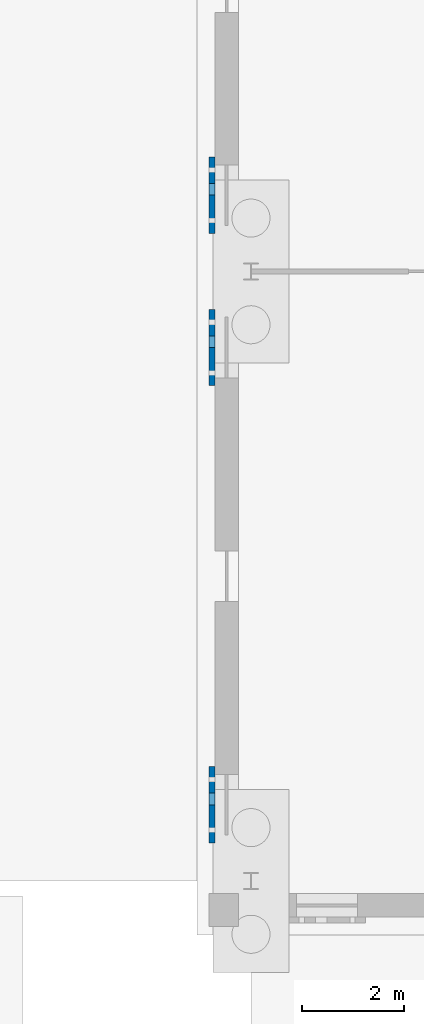
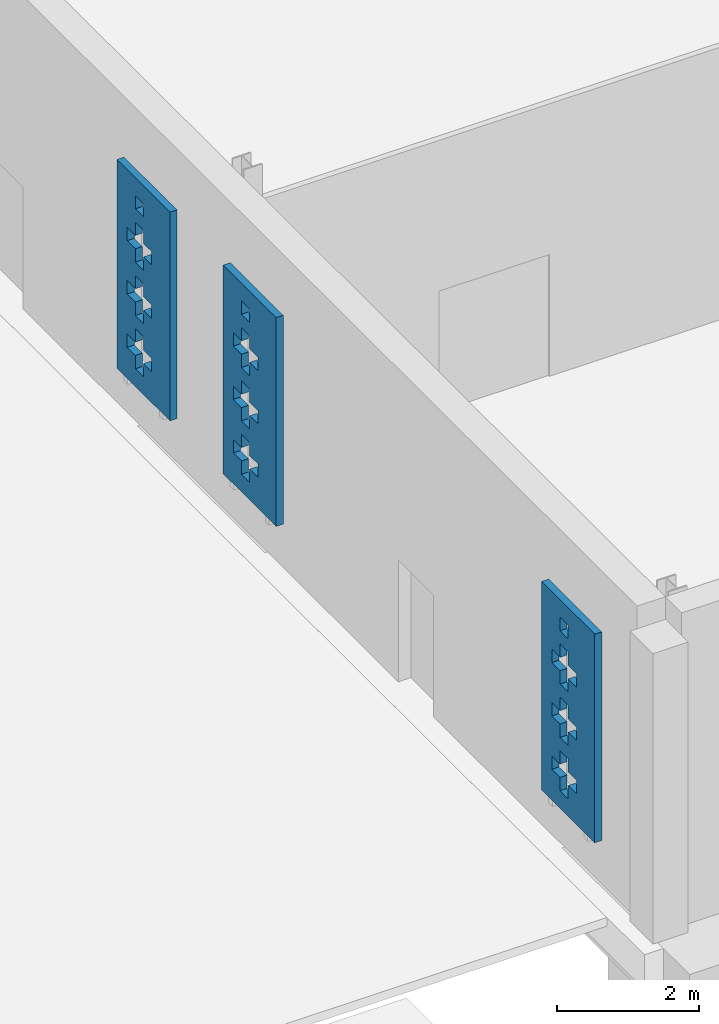
# One storey, part 85 of 132: 3 walls, 48 openings.
"""IFC4 building model written with IfcOpenShell, lengths in metres."""

from ifc_helpers import new_model, si_unit, direction, frame, frame_2d, origin, place, context, subcontext, project, spatial, rectangle, extrude, material, layer, layer_set, type_object, element, save


model = new_model("IFC4")

# Units and contexts
model_context = context("Model", 3, precision=1e-05, world=origin(), true_north=direction((0.0, 1.0)))
body_context = subcontext(model_context, "Body", "Model", "MODEL_VIEW")
ifc_project = project(units=[si_unit("LENGTHUNIT", "METRE"), si_unit("AREAUNIT", "SQUARE_METRE"), si_unit("VOLUMEUNIT", "CUBIC_METRE"), si_unit("PLANEANGLEUNIT", "RADIAN"), si_unit("MASSUNIT", "GRAM", prefix="KILO")], contexts=[model_context])

# Site, building, storey
site_placement = place(None, origin())
site = spatial("IfcSite", under=ifc_project, at=site_placement, CompositionType="ELEMENT")
building_placement = place(site_placement, origin())
building = spatial("IfcBuilding", under=site, at=building_placement, Name="Ravi Spectrum Wholesale Market", CompositionType="ELEMENT")
storey_placement = place(building_placement, origin())
storey = spatial("IfcBuildingStorey", under=building, at=storey_placement, Name="L00", CompositionType="ELEMENT", Elevation=0.0)

# Wall, openings
ifc_material = material(Name="Facing brickwork", Category="masonry")
ifc_layer = layer(ifc_material, 0.114990234375)
ifc_layer_set = layer_set([ifc_layer], Name="Facing brickwork")
wall_type = type_object("IfcWallType", Name="Perforated brick screen 115", PredefinedType="SOLIDWALL", material=ifc_layer_set)
wall_1_placement = place(storey_placement, frame((161.232421875, 212.25, 0.75), z_axis=(0.0, 0.0, 1.0), x_axis=(0.0, -1.0, 0.0)))
wall_1 = element("IfcWall", 1, at=wall_1_placement, inside=storey, type_object=wall_type, Name="AU-WL-L00-025", PredefinedType="SOLIDWALL", context=body_context, shape_type="SweptSolid", body=[
    extrude(rectangle(XDim=1.5, YDim=0.114990234375, at=frame_2d((0.75, 0.0))), origin(), (0.0, 0.0, 1.0), 3.60009765625),
])
opening_1_placement = place(wall_1_placement, frame((0.52001953125, 0.0, 0.304931640625)))
element("IfcOpeningElement", 2, at=opening_1_placement, cuts=wall_1, Name="Opening AU-OP-L00-193", PredefinedType="OPENING", context=body_context, shape_type="SweptSolid", body=[
    extrude(rectangle(XDim=0.22998046875, YDim=0.22998046875, at=frame_2d((0.114990234375, 0.114990234375))), frame((0.0, 0.0673828125, 0.0), z_axis=(0.0, -1.0, 0.0), x_axis=(1.0, 0.0, 0.0)), (0.0, 0.0, 1.0), 0.135009765625),
])
opening_2_placement = place(wall_1_placement, frame((0.2900390625, 0.0, 0.534912109375)))
element("IfcOpeningElement", 3, at=opening_2_placement, cuts=wall_1, Name="Opening AU-OP-L00-194", PredefinedType="OPENING", context=body_context, shape_type="SweptSolid", body=[
    extrude(rectangle(XDim=0.22998046875, YDim=0.22998046875, at=frame_2d((0.114990234375, 0.114990234375))), frame((0.0, 0.0673828125, 0.0), z_axis=(0.0, -1.0, 0.0), x_axis=(1.0, 0.0, 0.0)), (0.0, 0.0, 1.0), 0.135009765625),
])
opening_3_placement = place(wall_1_placement, frame((0.52001953125, 0.0, 0.534912109375)))
element("IfcOpeningElement", 4, at=opening_3_placement, cuts=wall_1, Name="Opening AU-OP-L00-195", PredefinedType="OPENING", context=body_context, shape_type="SweptSolid", body=[
    extrude(rectangle(XDim=0.22998046875, YDim=0.22998046875, at=frame_2d((0.114990234375, 0.114990234375))), frame((0.0, 0.0673828125, 0.0), z_axis=(0.0, -1.0, 0.0), x_axis=(1.0, 0.0, 0.0)), (0.0, 0.0, 1.0), 0.135009765625),
])
opening_4_placement = place(wall_1_placement, frame((0.75, 0.0, 0.534912109375)))
element("IfcOpeningElement", 5, at=opening_4_placement, cuts=wall_1, Name="Opening AU-OP-L00-196", PredefinedType="OPENING", context=body_context, shape_type="SweptSolid", body=[
    extrude(rectangle(XDim=0.22998046875, YDim=0.22998046875, at=frame_2d((0.114990234375, 0.114990234375))), frame((0.0, 0.0673828125, 0.0), z_axis=(0.0, -1.0, 0.0), x_axis=(1.0, 0.0, 0.0)), (0.0, 0.0, 1.0), 0.135009765625),
])
opening_5_placement = place(wall_1_placement, frame((0.52001953125, 0.0, 0.764892578125)))
element("IfcOpeningElement", 6, at=opening_5_placement, cuts=wall_1, Name="Opening AU-OP-L00-197", PredefinedType="OPENING", context=body_context, shape_type="SweptSolid", body=[
    extrude(rectangle(XDim=0.22998046875, YDim=0.22998046875, at=frame_2d((0.114990234375, 0.114990234375))), frame((0.0, 0.0673828125, 0.0), z_axis=(0.0, -1.0, 0.0), x_axis=(1.0, 0.0, 0.0)), (0.0, 0.0, 1.0), 0.135009765625),
])
opening_6_placement = place(wall_1_placement, frame((0.52001953125, 0.0, 1.22509765625)))
element("IfcOpeningElement", 7, at=opening_6_placement, cuts=wall_1, Name="Opening AU-OP-L00-198", PredefinedType="OPENING", context=body_context, shape_type="SweptSolid", body=[
    extrude(rectangle(XDim=0.22998046875, YDim=0.22998046875, at=frame_2d((0.114990234375, 0.114990234375))), frame((0.0, 0.0673828125, 0.0), z_axis=(0.0, -1.0, 0.0), x_axis=(1.0, 0.0, 0.0)), (0.0, 0.0, 1.0), 0.135009765625),
])
opening_7_placement = place(wall_1_placement, frame((0.2900390625, 0.0, 1.455078125)))
element("IfcOpeningElement", 8, at=opening_7_placement, cuts=wall_1, Name="Opening AU-OP-L00-199", PredefinedType="OPENING", context=body_context, shape_type="SweptSolid", body=[
    extrude(rectangle(XDim=0.22998046875, YDim=0.22998046875, at=frame_2d((0.114990234375, 0.114990234375))), frame((0.0, 0.0673828125, 0.0), z_axis=(0.0, -1.0, 0.0), x_axis=(1.0, 0.0, 0.0)), (0.0, 0.0, 1.0), 0.135009765625),
])
opening_8_placement = place(wall_1_placement, frame((0.52001953125, 0.0, 1.455078125)))
element("IfcOpeningElement", 9, at=opening_8_placement, cuts=wall_1, Name="Opening AU-OP-L00-200", PredefinedType="OPENING", context=body_context, shape_type="SweptSolid", body=[
    extrude(rectangle(XDim=0.22998046875, YDim=0.22998046875, at=frame_2d((0.114990234375, 0.114990234375))), frame((0.0, 0.0673828125, 0.0), z_axis=(0.0, -1.0, 0.0), x_axis=(1.0, 0.0, 0.0)), (0.0, 0.0, 1.0), 0.135009765625),
])
opening_9_placement = place(wall_1_placement, frame((0.75, 0.0, 1.455078125)))
element("IfcOpeningElement", 10, at=opening_9_placement, cuts=wall_1, Name="Opening AU-OP-L00-201", PredefinedType="OPENING", context=body_context, shape_type="SweptSolid", body=[
    extrude(rectangle(XDim=0.22998046875, YDim=0.22998046875, at=frame_2d((0.114990234375, 0.114990234375))), frame((0.0, 0.0673828125, 0.0), z_axis=(0.0, -1.0, 0.0), x_axis=(1.0, 0.0, 0.0)), (0.0, 0.0, 1.0), 0.135009765625),
])
opening_10_placement = place(wall_1_placement, frame((0.52001953125, 0.0, 1.68505859375)))
element("IfcOpeningElement", 11, at=opening_10_placement, cuts=wall_1, Name="Opening AU-OP-L00-202", PredefinedType="OPENING", context=body_context, shape_type="SweptSolid", body=[
    extrude(rectangle(XDim=0.22998046875, YDim=0.22998046875, at=frame_2d((0.114990234375, 0.114990234375))), frame((0.0, 0.0673828125, 0.0), z_axis=(0.0, -1.0, 0.0), x_axis=(1.0, 0.0, 0.0)), (0.0, 0.0, 1.0), 0.135009765625),
])
opening_11_placement = place(wall_1_placement, frame((0.52001953125, 0.0, 2.14501953125)))
element("IfcOpeningElement", 12, at=opening_11_placement, cuts=wall_1, Name="Opening AU-OP-L00-203", PredefinedType="OPENING", context=body_context, shape_type="SweptSolid", body=[
    extrude(rectangle(XDim=0.22998046875, YDim=0.22998046875, at=frame_2d((0.114990234375, 0.114990234375))), frame((0.0, 0.0673828125, 0.0), z_axis=(0.0, -1.0, 0.0), x_axis=(1.0, 0.0, 0.0)), (0.0, 0.0, 1.0), 0.135009765625),
])
opening_12_placement = place(wall_1_placement, frame((0.2900390625, 0.0, 2.375)))
element("IfcOpeningElement", 13, at=opening_12_placement, cuts=wall_1, Name="Opening AU-OP-L00-204", PredefinedType="OPENING", context=body_context, shape_type="SweptSolid", body=[
    extrude(rectangle(XDim=0.22998046875, YDim=0.22998046875, at=frame_2d((0.114990234375, 0.114990234375))), frame((0.0, 0.0673828125, 0.0), z_axis=(0.0, -1.0, 0.0), x_axis=(1.0, 0.0, 0.0)), (0.0, 0.0, 1.0), 0.135009765625),
])
opening_13_placement = place(wall_1_placement, frame((0.52001953125, 0.0, 2.375)))
element("IfcOpeningElement", 14, at=opening_13_placement, cuts=wall_1, Name="Opening AU-OP-L00-205", PredefinedType="OPENING", context=body_context, shape_type="SweptSolid", body=[
    extrude(rectangle(XDim=0.22998046875, YDim=0.22998046875, at=frame_2d((0.114990234375, 0.114990234375))), frame((0.0, 0.0673828125, 0.0), z_axis=(0.0, -1.0, 0.0), x_axis=(1.0, 0.0, 0.0)), (0.0, 0.0, 1.0), 0.135009765625),
])
opening_14_placement = place(wall_1_placement, frame((0.75, 0.0, 2.375)))
element("IfcOpeningElement", 15, at=opening_14_placement, cuts=wall_1, Name="Opening AU-OP-L00-206", PredefinedType="OPENING", context=body_context, shape_type="SweptSolid", body=[
    extrude(rectangle(XDim=0.22998046875, YDim=0.22998046875, at=frame_2d((0.114990234375, 0.114990234375))), frame((0.0, 0.0673828125, 0.0), z_axis=(0.0, -1.0, 0.0), x_axis=(1.0, 0.0, 0.0)), (0.0, 0.0, 1.0), 0.135009765625),
])
opening_15_placement = place(wall_1_placement, frame((0.52001953125, 0.0, 2.60498046875)))
element("IfcOpeningElement", 16, at=opening_15_placement, cuts=wall_1, Name="Opening AU-OP-L00-207", PredefinedType="OPENING", context=body_context, shape_type="SweptSolid", body=[
    extrude(rectangle(XDim=0.22998046875, YDim=0.22998046875, at=frame_2d((0.114990234375, 0.114990234375))), frame((0.0, 0.0673828125, 0.0), z_axis=(0.0, -1.0, 0.0), x_axis=(1.0, 0.0, 0.0)), (0.0, 0.0, 1.0), 0.135009765625),
])
opening_16_placement = place(wall_1_placement, frame((0.52001953125, 0.0, 3.06494140625)))
element("IfcOpeningElement", 17, at=opening_16_placement, cuts=wall_1, Name="Opening AU-OP-L00-208", PredefinedType="OPENING", context=body_context, shape_type="SweptSolid", body=[
    extrude(rectangle(XDim=0.22998046875, YDim=0.22998046875, at=frame_2d((0.114990234375, 0.114990234375))), frame((0.0, 0.0673828125, 0.0), z_axis=(0.0, -1.0, 0.0), x_axis=(1.0, 0.0, 0.0)), (0.0, 0.0, 1.0), 0.135009765625),
])

wall_2_placement = place(storey_placement, frame((161.232421875, 209.25, 0.75), z_axis=(0.0, 0.0, 1.0), x_axis=(0.0, -1.0, 0.0)))
wall_2 = element("IfcWall", 18, at=wall_2_placement, inside=storey, type_object=wall_type, Name="AU-WL-L00-026", PredefinedType="SOLIDWALL", context=body_context, shape_type="SweptSolid", body=[
    extrude(rectangle(XDim=1.5, YDim=0.114990234375, at=frame_2d((0.75, 0.0))), origin(), (0.0, 0.0, 1.0), 3.60009765625),
])
opening_17_placement = place(wall_2_placement, frame((0.52001953125, 0.0, 0.304931640625)))
element("IfcOpeningElement", 19, at=opening_17_placement, cuts=wall_2, Name="Opening AU-OP-L00-209", PredefinedType="OPENING", context=body_context, shape_type="SweptSolid", body=[
    extrude(rectangle(XDim=0.22998046875, YDim=0.22998046875, at=frame_2d((0.114990234375, 0.114990234375))), frame((0.0, 0.0673828125, 0.0), z_axis=(0.0, -1.0, 0.0), x_axis=(1.0, 0.0, 0.0)), (0.0, 0.0, 1.0), 0.135009765625),
])
opening_18_placement = place(wall_2_placement, frame((0.2900390625, 0.0, 0.534912109375)))
element("IfcOpeningElement", 20, at=opening_18_placement, cuts=wall_2, Name="Opening AU-OP-L00-210", PredefinedType="OPENING", context=body_context, shape_type="SweptSolid", body=[
    extrude(rectangle(XDim=0.22998046875, YDim=0.22998046875, at=frame_2d((0.114990234375, 0.114990234375))), frame((0.0, 0.0673828125, 0.0), z_axis=(0.0, -1.0, 0.0), x_axis=(1.0, 0.0, 0.0)), (0.0, 0.0, 1.0), 0.135009765625),
])
opening_19_placement = place(wall_2_placement, frame((0.52001953125, 0.0, 0.534912109375)))
element("IfcOpeningElement", 21, at=opening_19_placement, cuts=wall_2, Name="Opening AU-OP-L00-211", PredefinedType="OPENING", context=body_context, shape_type="SweptSolid", body=[
    extrude(rectangle(XDim=0.22998046875, YDim=0.22998046875, at=frame_2d((0.114990234375, 0.114990234375))), frame((0.0, 0.0673828125, 0.0), z_axis=(0.0, -1.0, 0.0), x_axis=(1.0, 0.0, 0.0)), (0.0, 0.0, 1.0), 0.135009765625),
])
opening_20_placement = place(wall_2_placement, frame((0.75, 0.0, 0.534912109375)))
element("IfcOpeningElement", 22, at=opening_20_placement, cuts=wall_2, Name="Opening AU-OP-L00-212", PredefinedType="OPENING", context=body_context, shape_type="SweptSolid", body=[
    extrude(rectangle(XDim=0.22998046875, YDim=0.22998046875, at=frame_2d((0.114990234375, 0.114990234375))), frame((0.0, 0.0673828125, 0.0), z_axis=(0.0, -1.0, 0.0), x_axis=(1.0, 0.0, 0.0)), (0.0, 0.0, 1.0), 0.135009765625),
])
opening_21_placement = place(wall_2_placement, frame((0.52001953125, 0.0, 0.764892578125)))
element("IfcOpeningElement", 23, at=opening_21_placement, cuts=wall_2, Name="Opening AU-OP-L00-213", PredefinedType="OPENING", context=body_context, shape_type="SweptSolid", body=[
    extrude(rectangle(XDim=0.22998046875, YDim=0.22998046875, at=frame_2d((0.114990234375, 0.114990234375))), frame((0.0, 0.0673828125, 0.0), z_axis=(0.0, -1.0, 0.0), x_axis=(1.0, 0.0, 0.0)), (0.0, 0.0, 1.0), 0.135009765625),
])
opening_22_placement = place(wall_2_placement, frame((0.52001953125, 0.0, 1.22509765625)))
element("IfcOpeningElement", 24, at=opening_22_placement, cuts=wall_2, Name="Opening AU-OP-L00-214", PredefinedType="OPENING", context=body_context, shape_type="SweptSolid", body=[
    extrude(rectangle(XDim=0.22998046875, YDim=0.22998046875, at=frame_2d((0.114990234375, 0.114990234375))), frame((0.0, 0.0673828125, 0.0), z_axis=(0.0, -1.0, 0.0), x_axis=(1.0, 0.0, 0.0)), (0.0, 0.0, 1.0), 0.135009765625),
])
opening_23_placement = place(wall_2_placement, frame((0.2900390625, 0.0, 1.455078125)))
element("IfcOpeningElement", 25, at=opening_23_placement, cuts=wall_2, Name="Opening AU-OP-L00-215", PredefinedType="OPENING", context=body_context, shape_type="SweptSolid", body=[
    extrude(rectangle(XDim=0.22998046875, YDim=0.22998046875, at=frame_2d((0.114990234375, 0.114990234375))), frame((0.0, 0.0673828125, 0.0), z_axis=(0.0, -1.0, 0.0), x_axis=(1.0, 0.0, 0.0)), (0.0, 0.0, 1.0), 0.135009765625),
])
opening_24_placement = place(wall_2_placement, frame((0.52001953125, 0.0, 1.455078125)))
element("IfcOpeningElement", 26, at=opening_24_placement, cuts=wall_2, Name="Opening AU-OP-L00-216", PredefinedType="OPENING", context=body_context, shape_type="SweptSolid", body=[
    extrude(rectangle(XDim=0.22998046875, YDim=0.22998046875, at=frame_2d((0.114990234375, 0.114990234375))), frame((0.0, 0.0673828125, 0.0), z_axis=(0.0, -1.0, 0.0), x_axis=(1.0, 0.0, 0.0)), (0.0, 0.0, 1.0), 0.135009765625),
])
opening_25_placement = place(wall_2_placement, frame((0.75, 0.0, 1.455078125)))
element("IfcOpeningElement", 27, at=opening_25_placement, cuts=wall_2, Name="Opening AU-OP-L00-217", PredefinedType="OPENING", context=body_context, shape_type="SweptSolid", body=[
    extrude(rectangle(XDim=0.22998046875, YDim=0.22998046875, at=frame_2d((0.114990234375, 0.114990234375))), frame((0.0, 0.0673828125, 0.0), z_axis=(0.0, -1.0, 0.0), x_axis=(1.0, 0.0, 0.0)), (0.0, 0.0, 1.0), 0.135009765625),
])
opening_26_placement = place(wall_2_placement, frame((0.52001953125, 0.0, 1.68505859375)))
element("IfcOpeningElement", 28, at=opening_26_placement, cuts=wall_2, Name="Opening AU-OP-L00-218", PredefinedType="OPENING", context=body_context, shape_type="SweptSolid", body=[
    extrude(rectangle(XDim=0.22998046875, YDim=0.22998046875, at=frame_2d((0.114990234375, 0.114990234375))), frame((0.0, 0.0673828125, 0.0), z_axis=(0.0, -1.0, 0.0), x_axis=(1.0, 0.0, 0.0)), (0.0, 0.0, 1.0), 0.135009765625),
])
opening_27_placement = place(wall_2_placement, frame((0.52001953125, 0.0, 2.14501953125)))
element("IfcOpeningElement", 29, at=opening_27_placement, cuts=wall_2, Name="Opening AU-OP-L00-219", PredefinedType="OPENING", context=body_context, shape_type="SweptSolid", body=[
    extrude(rectangle(XDim=0.22998046875, YDim=0.22998046875, at=frame_2d((0.114990234375, 0.114990234375))), frame((0.0, 0.0673828125, 0.0), z_axis=(0.0, -1.0, 0.0), x_axis=(1.0, 0.0, 0.0)), (0.0, 0.0, 1.0), 0.135009765625),
])
opening_28_placement = place(wall_2_placement, frame((0.2900390625, 0.0, 2.375)))
element("IfcOpeningElement", 30, at=opening_28_placement, cuts=wall_2, Name="Opening AU-OP-L00-220", PredefinedType="OPENING", context=body_context, shape_type="SweptSolid", body=[
    extrude(rectangle(XDim=0.22998046875, YDim=0.22998046875, at=frame_2d((0.114990234375, 0.114990234375))), frame((0.0, 0.0673828125, 0.0), z_axis=(0.0, -1.0, 0.0), x_axis=(1.0, 0.0, 0.0)), (0.0, 0.0, 1.0), 0.135009765625),
])
opening_29_placement = place(wall_2_placement, frame((0.52001953125, 0.0, 2.375)))
element("IfcOpeningElement", 31, at=opening_29_placement, cuts=wall_2, Name="Opening AU-OP-L00-221", PredefinedType="OPENING", context=body_context, shape_type="SweptSolid", body=[
    extrude(rectangle(XDim=0.22998046875, YDim=0.22998046875, at=frame_2d((0.114990234375, 0.114990234375))), frame((0.0, 0.0673828125, 0.0), z_axis=(0.0, -1.0, 0.0), x_axis=(1.0, 0.0, 0.0)), (0.0, 0.0, 1.0), 0.135009765625),
])
opening_30_placement = place(wall_2_placement, frame((0.75, 0.0, 2.375)))
element("IfcOpeningElement", 32, at=opening_30_placement, cuts=wall_2, Name="Opening AU-OP-L00-222", PredefinedType="OPENING", context=body_context, shape_type="SweptSolid", body=[
    extrude(rectangle(XDim=0.22998046875, YDim=0.22998046875, at=frame_2d((0.114990234375, 0.114990234375))), frame((0.0, 0.0673828125, 0.0), z_axis=(0.0, -1.0, 0.0), x_axis=(1.0, 0.0, 0.0)), (0.0, 0.0, 1.0), 0.135009765625),
])
opening_31_placement = place(wall_2_placement, frame((0.52001953125, 0.0, 2.60498046875)))
element("IfcOpeningElement", 33, at=opening_31_placement, cuts=wall_2, Name="Opening AU-OP-L00-223", PredefinedType="OPENING", context=body_context, shape_type="SweptSolid", body=[
    extrude(rectangle(XDim=0.22998046875, YDim=0.22998046875, at=frame_2d((0.114990234375, 0.114990234375))), frame((0.0, 0.0673828125, 0.0), z_axis=(0.0, -1.0, 0.0), x_axis=(1.0, 0.0, 0.0)), (0.0, 0.0, 1.0), 0.135009765625),
])
opening_32_placement = place(wall_2_placement, frame((0.52001953125, 0.0, 3.06494140625)))
element("IfcOpeningElement", 34, at=opening_32_placement, cuts=wall_2, Name="Opening AU-OP-L00-224", PredefinedType="OPENING", context=body_context, shape_type="SweptSolid", body=[
    extrude(rectangle(XDim=0.22998046875, YDim=0.22998046875, at=frame_2d((0.114990234375, 0.114990234375))), frame((0.0, 0.0673828125, 0.0), z_axis=(0.0, -1.0, 0.0), x_axis=(1.0, 0.0, 0.0)), (0.0, 0.0, 1.0), 0.135009765625),
])

wall_3_placement = place(storey_placement, frame((161.232421875, 200.25, 0.75), z_axis=(0.0, 0.0, 1.0), x_axis=(0.0, -1.0, 0.0)))
wall_3 = element("IfcWall", 35, at=wall_3_placement, inside=storey, type_object=wall_type, Name="AU-WL-L00-027", PredefinedType="SOLIDWALL", context=body_context, shape_type="SweptSolid", body=[
    extrude(rectangle(XDim=1.5, YDim=0.114990234375, at=frame_2d((0.75, 0.0))), origin(), (0.0, 0.0, 1.0), 3.60009765625),
])
opening_33_placement = place(wall_3_placement, frame((0.52001953125, 0.0, 0.304931640625)))
element("IfcOpeningElement", 36, at=opening_33_placement, cuts=wall_3, Name="Opening AU-OP-L00-225", PredefinedType="OPENING", context=body_context, shape_type="SweptSolid", body=[
    extrude(rectangle(XDim=0.22998046875, YDim=0.22998046875, at=frame_2d((0.114990234375, 0.114990234375))), frame((0.0, 0.0673828125, 0.0), z_axis=(0.0, -1.0, 0.0), x_axis=(1.0, 0.0, 0.0)), (0.0, 0.0, 1.0), 0.135009765625),
])
opening_34_placement = place(wall_3_placement, frame((0.2900390625, 0.0, 0.534912109375)))
element("IfcOpeningElement", 37, at=opening_34_placement, cuts=wall_3, Name="Opening AU-OP-L00-226", PredefinedType="OPENING", context=body_context, shape_type="SweptSolid", body=[
    extrude(rectangle(XDim=0.22998046875, YDim=0.22998046875, at=frame_2d((0.114990234375, 0.114990234375))), frame((0.0, 0.0673828125, 0.0), z_axis=(0.0, -1.0, 0.0), x_axis=(1.0, 0.0, 0.0)), (0.0, 0.0, 1.0), 0.135009765625),
])
opening_35_placement = place(wall_3_placement, frame((0.52001953125, 0.0, 0.534912109375)))
element("IfcOpeningElement", 38, at=opening_35_placement, cuts=wall_3, Name="Opening AU-OP-L00-227", PredefinedType="OPENING", context=body_context, shape_type="SweptSolid", body=[
    extrude(rectangle(XDim=0.22998046875, YDim=0.22998046875, at=frame_2d((0.114990234375, 0.114990234375))), frame((0.0, 0.0673828125, 0.0), z_axis=(0.0, -1.0, 0.0), x_axis=(1.0, 0.0, 0.0)), (0.0, 0.0, 1.0), 0.135009765625),
])
opening_36_placement = place(wall_3_placement, frame((0.75, 0.0, 0.534912109375)))
element("IfcOpeningElement", 39, at=opening_36_placement, cuts=wall_3, Name="Opening AU-OP-L00-228", PredefinedType="OPENING", context=body_context, shape_type="SweptSolid", body=[
    extrude(rectangle(XDim=0.22998046875, YDim=0.22998046875, at=frame_2d((0.114990234375, 0.114990234375))), frame((0.0, 0.0673828125, 0.0), z_axis=(0.0, -1.0, 0.0), x_axis=(1.0, 0.0, 0.0)), (0.0, 0.0, 1.0), 0.135009765625),
])
opening_37_placement = place(wall_3_placement, frame((0.52001953125, 0.0, 0.764892578125)))
element("IfcOpeningElement", 40, at=opening_37_placement, cuts=wall_3, Name="Opening AU-OP-L00-229", PredefinedType="OPENING", context=body_context, shape_type="SweptSolid", body=[
    extrude(rectangle(XDim=0.22998046875, YDim=0.22998046875, at=frame_2d((0.114990234375, 0.114990234375))), frame((0.0, 0.0673828125, 0.0), z_axis=(0.0, -1.0, 0.0), x_axis=(1.0, 0.0, 0.0)), (0.0, 0.0, 1.0), 0.135009765625),
])
opening_38_placement = place(wall_3_placement, frame((0.52001953125, 0.0, 1.22509765625)))
element("IfcOpeningElement", 41, at=opening_38_placement, cuts=wall_3, Name="Opening AU-OP-L00-230", PredefinedType="OPENING", context=body_context, shape_type="SweptSolid", body=[
    extrude(rectangle(XDim=0.22998046875, YDim=0.22998046875, at=frame_2d((0.114990234375, 0.114990234375))), frame((0.0, 0.0673828125, 0.0), z_axis=(0.0, -1.0, 0.0), x_axis=(1.0, 0.0, 0.0)), (0.0, 0.0, 1.0), 0.135009765625),
])
opening_39_placement = place(wall_3_placement, frame((0.2900390625, 0.0, 1.455078125)))
element("IfcOpeningElement", 42, at=opening_39_placement, cuts=wall_3, Name="Opening AU-OP-L00-231", PredefinedType="OPENING", context=body_context, shape_type="SweptSolid", body=[
    extrude(rectangle(XDim=0.22998046875, YDim=0.22998046875, at=frame_2d((0.114990234375, 0.114990234375))), frame((0.0, 0.0673828125, 0.0), z_axis=(0.0, -1.0, 0.0), x_axis=(1.0, 0.0, 0.0)), (0.0, 0.0, 1.0), 0.135009765625),
])
opening_40_placement = place(wall_3_placement, frame((0.52001953125, 0.0, 1.455078125)))
element("IfcOpeningElement", 43, at=opening_40_placement, cuts=wall_3, Name="Opening AU-OP-L00-232", PredefinedType="OPENING", context=body_context, shape_type="SweptSolid", body=[
    extrude(rectangle(XDim=0.22998046875, YDim=0.22998046875, at=frame_2d((0.114990234375, 0.114990234375))), frame((0.0, 0.0673828125, 0.0), z_axis=(0.0, -1.0, 0.0), x_axis=(1.0, 0.0, 0.0)), (0.0, 0.0, 1.0), 0.135009765625),
])
opening_41_placement = place(wall_3_placement, frame((0.75, 0.0, 1.455078125)))
element("IfcOpeningElement", 44, at=opening_41_placement, cuts=wall_3, Name="Opening AU-OP-L00-233", PredefinedType="OPENING", context=body_context, shape_type="SweptSolid", body=[
    extrude(rectangle(XDim=0.22998046875, YDim=0.22998046875, at=frame_2d((0.114990234375, 0.114990234375))), frame((0.0, 0.0673828125, 0.0), z_axis=(0.0, -1.0, 0.0), x_axis=(1.0, 0.0, 0.0)), (0.0, 0.0, 1.0), 0.135009765625),
])
opening_42_placement = place(wall_3_placement, frame((0.52001953125, 0.0, 1.68505859375)))
element("IfcOpeningElement", 45, at=opening_42_placement, cuts=wall_3, Name="Opening AU-OP-L00-234", PredefinedType="OPENING", context=body_context, shape_type="SweptSolid", body=[
    extrude(rectangle(XDim=0.22998046875, YDim=0.22998046875, at=frame_2d((0.114990234375, 0.114990234375))), frame((0.0, 0.0673828125, 0.0), z_axis=(0.0, -1.0, 0.0), x_axis=(1.0, 0.0, 0.0)), (0.0, 0.0, 1.0), 0.135009765625),
])
opening_43_placement = place(wall_3_placement, frame((0.52001953125, 0.0, 2.14501953125)))
element("IfcOpeningElement", 46, at=opening_43_placement, cuts=wall_3, Name="Opening AU-OP-L00-235", PredefinedType="OPENING", context=body_context, shape_type="SweptSolid", body=[
    extrude(rectangle(XDim=0.22998046875, YDim=0.22998046875, at=frame_2d((0.114990234375, 0.114990234375))), frame((0.0, 0.0673828125, 0.0), z_axis=(0.0, -1.0, 0.0), x_axis=(1.0, 0.0, 0.0)), (0.0, 0.0, 1.0), 0.135009765625),
])
opening_44_placement = place(wall_3_placement, frame((0.2900390625, 0.0, 2.375)))
element("IfcOpeningElement", 47, at=opening_44_placement, cuts=wall_3, Name="Opening AU-OP-L00-236", PredefinedType="OPENING", context=body_context, shape_type="SweptSolid", body=[
    extrude(rectangle(XDim=0.22998046875, YDim=0.22998046875, at=frame_2d((0.114990234375, 0.114990234375))), frame((0.0, 0.0673828125, 0.0), z_axis=(0.0, -1.0, 0.0), x_axis=(1.0, 0.0, 0.0)), (0.0, 0.0, 1.0), 0.135009765625),
])
opening_45_placement = place(wall_3_placement, frame((0.52001953125, 0.0, 2.375)))
element("IfcOpeningElement", 48, at=opening_45_placement, cuts=wall_3, Name="Opening AU-OP-L00-237", PredefinedType="OPENING", context=body_context, shape_type="SweptSolid", body=[
    extrude(rectangle(XDim=0.22998046875, YDim=0.22998046875, at=frame_2d((0.114990234375, 0.114990234375))), frame((0.0, 0.0673828125, 0.0), z_axis=(0.0, -1.0, 0.0), x_axis=(1.0, 0.0, 0.0)), (0.0, 0.0, 1.0), 0.135009765625),
])
opening_46_placement = place(wall_3_placement, frame((0.75, 0.0, 2.375)))
element("IfcOpeningElement", 49, at=opening_46_placement, cuts=wall_3, Name="Opening AU-OP-L00-238", PredefinedType="OPENING", context=body_context, shape_type="SweptSolid", body=[
    extrude(rectangle(XDim=0.22998046875, YDim=0.22998046875, at=frame_2d((0.114990234375, 0.114990234375))), frame((0.0, 0.0673828125, 0.0), z_axis=(0.0, -1.0, 0.0), x_axis=(1.0, 0.0, 0.0)), (0.0, 0.0, 1.0), 0.135009765625),
])
opening_47_placement = place(wall_3_placement, frame((0.52001953125, 0.0, 2.60498046875)))
element("IfcOpeningElement", 50, at=opening_47_placement, cuts=wall_3, Name="Opening AU-OP-L00-239", PredefinedType="OPENING", context=body_context, shape_type="SweptSolid", body=[
    extrude(rectangle(XDim=0.22998046875, YDim=0.22998046875, at=frame_2d((0.114990234375, 0.114990234375))), frame((0.0, 0.0673828125, 0.0), z_axis=(0.0, -1.0, 0.0), x_axis=(1.0, 0.0, 0.0)), (0.0, 0.0, 1.0), 0.135009765625),
])
opening_48_placement = place(wall_3_placement, frame((0.52001953125, 0.0, 3.06494140625)))
element("IfcOpeningElement", 51, at=opening_48_placement, cuts=wall_3, Name="Opening AU-OP-L00-240", PredefinedType="OPENING", context=body_context, shape_type="SweptSolid", body=[
    extrude(rectangle(XDim=0.22998046875, YDim=0.22998046875, at=frame_2d((0.114990234375, 0.114990234375))), frame((0.0, 0.0673828125, 0.0), z_axis=(0.0, -1.0, 0.0), x_axis=(1.0, 0.0, 0.0)), (0.0, 0.0, 1.0), 0.135009765625),
])

save(model, "model.ifc")
